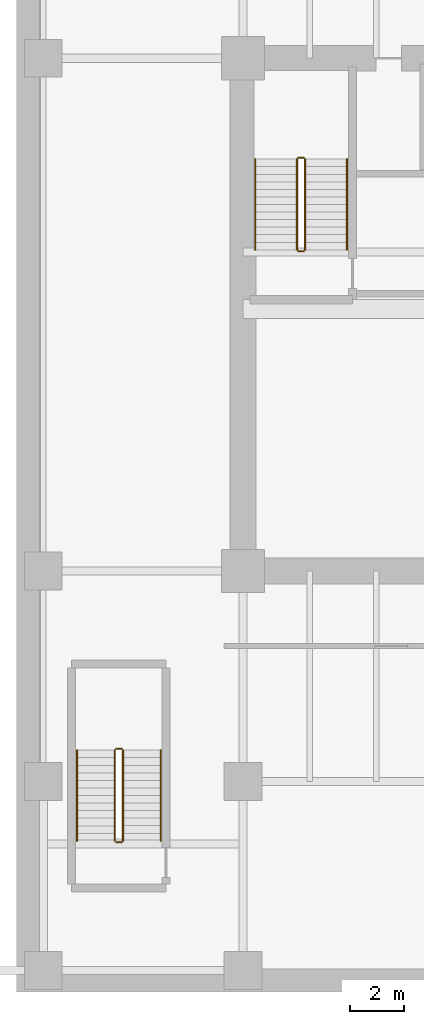
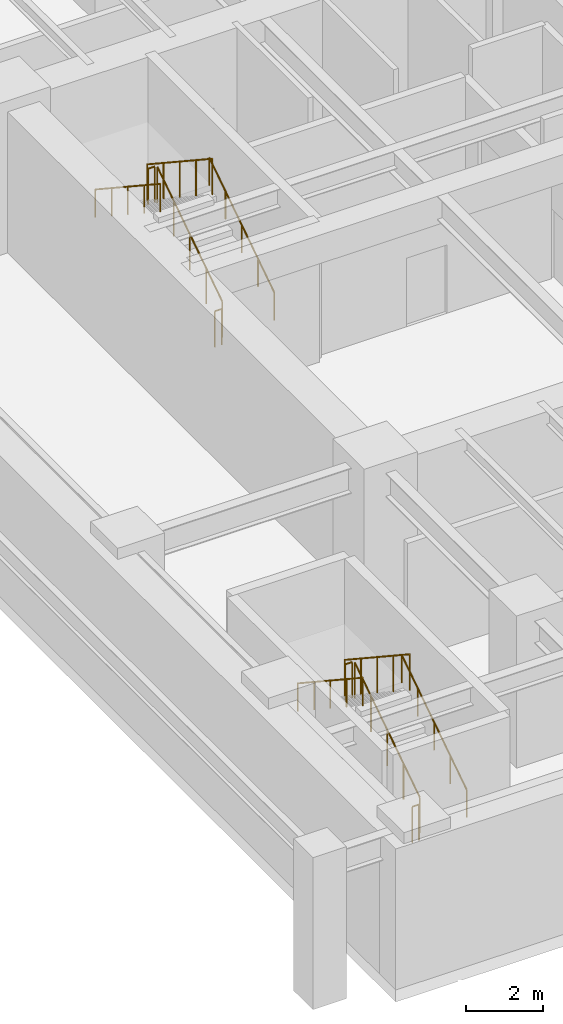
# One storey, part 6 of 7: 12 railings.
"""IFC4 building model written with IfcOpenShell, lengths in metres."""

from ifc_helpers import new_model, si_unit, direction, frame, origin, origin_2d, place, context, subcontext, project, spatial, circle, extrude, source, transform, mapped, material, type_object, type_shapes, element, save


model = new_model("IFC4")

# Units and contexts
model_context = context("Model", 3, precision=1e-05, world=origin(), true_north=direction((0.0, 1.0)))
body_context = subcontext(model_context, "Body", "Model", "MODEL_VIEW")
ifc_project = project(units=[si_unit("LENGTHUNIT", "METRE"), si_unit("AREAUNIT", "SQUARE_METRE"), si_unit("VOLUMEUNIT", "CUBIC_METRE"), si_unit("PLANEANGLEUNIT", "RADIAN"), si_unit("MASSUNIT", "GRAM", prefix="KILO")], contexts=[model_context])

# Site, building, storey
site_placement = place(None, origin())
site = spatial("IfcSite", under=ifc_project, at=site_placement, CompositionType="ELEMENT")
building_placement = place(site_placement, origin())
building = spatial("IfcBuilding", under=site, at=building_placement, Name="Haelvirn Gate Laboratories", CompositionType="ELEMENT")
storey_placement = place(building_placement, frame((0.0, 0.0, -4.800048828125)))
storey = spatial("IfcBuildingStorey", under=building, at=storey_placement, Name="B1", CompositionType="ELEMENT", Elevation=-4.800048828125)

# Railings
ifc_material_1 = material(Name="Galvanised steel SM355 & stainless top rail", Category="steel")
railing_type_1 = type_object("IfcRailingType", Name="RL-GUARD-1150", PredefinedType="GUARDRAIL", material=ifc_material_1)
shared_shape_1 = source(origin(), body_context, "Body", "SweptSolid", [
    extrude(circle(Radius=0.02392578125, at=origin_2d()), frame((0.0, 0.0, 1.1259765625), z_axis=(-1.0, 0.0, 0.0), x_axis=(0.0, -1.0, 0.0)), (0.0, 0.0, 1.0), 0.199951171875),
    extrude(circle(Radius=0.02099609375, at=origin_2d()), origin(), (0.0, 0.0, 1.0), 1.101806640625),
    extrude(circle(Radius=0.02099609375, at=origin_2d()), frame((-0.199951171875, 0.0, 0.0)), (0.0, 0.0, 1.0), 1.101806640625),
])
for number, where, name in (
    (1, (9.64990234375, 30.110107421875, 2.400146484375), "B1 ST1 stair guard 2"),
    (2, (9.64990234375, 26.64990234375, 0.0), "B1 ST1 stair guard 4"),
    (3, (2.89990234375, 8.2099609375, 2.400146484375), "B1 ST3 stair guard 2"),
    (4, (2.89990234375, 4.75, 0.0), "B1 ST3 stair guard 4"),
):
    element("IfcRailing", number, at=place(storey_placement, frame(where)), inside=storey, type_object=railing_type_1, Name=name, PredefinedType="GUARDRAIL", context=body_context, shape_type="MappedRepresentation", body=[
        mapped(shared_shape_1, transform((0.0, 0.0, 0.0), scale=1.0)),
    ])
shared_shape_2 = source(origin(), body_context, "Body", "SweptSolid", [
    extrude(circle(Radius=0.02392578125, at=origin_2d()), frame((0.0, 0.0, 1.1259765625), z_axis=(0.0, -0.834876476806, 0.550437342915), x_axis=(1.0, 0.0, 0.0)), (0.0, 0.0, 1.0), 4.024658203125),
    extrude(circle(Radius=0.02099609375, at=origin_2d()), origin(), (0.0, 0.0, 1.0), 1.101806640625),
    extrude(circle(Radius=0.02099609375, at=origin_2d()), frame((0.0, -0.840087890625, 0.5537109375)), (0.0, 0.0, 1.0), 1.101806640625),
    extrude(circle(Radius=0.02099609375, at=origin_2d()), frame((0.0, -1.68017578125, 1.107666015625)), (0.0, 0.0, 1.0), 1.101806640625),
    extrude(circle(Radius=0.02099609375, at=origin_2d()), frame((0.0, -2.52001953125, 1.66162109375)), (0.0, 0.0, 1.0), 1.101806640625),
    extrude(circle(Radius=0.02099609375, at=origin_2d()), frame((0.0, -3.360107421875, 2.21533203125)), (0.0, 0.0, 1.0), 1.101806640625),
])
railing_1_placement = place(storey_placement, frame((9.39990234375, 30.06005859375, 2.584716796875)))
element("IfcRailing", 5, at=railing_1_placement, inside=storey, type_object=railing_type_1, Name="B1 ST1 stair guard 3", PredefinedType="GUARDRAIL", context=body_context, shape_type="MappedRepresentation", body=[
    mapped(shared_shape_2, transform((0.0, 0.0, 0.0), scale=1.0)),
])
ifc_material_2 = material(Name="Brushed stainless steel 316L", Category="steel")
railing_type_2 = type_object("IfcRailingType", Name="RL-HAND-920", PredefinedType="HANDRAIL", material=ifc_material_2)
shared_shape_3 = source(origin(), body_context, "Body", "SweptSolid", [
    extrude(circle(Radius=0.02392578125, at=origin_2d()), frame((0.0, 0.0, 0.8759765625), z_axis=(0.0, -0.834876476806, 0.550437342915), x_axis=(1.0, 0.0, 0.0)), (0.0, 0.0, 1.0), 4.024658203125),
    extrude(circle(Radius=0.02099609375, at=origin_2d()), origin(), (0.0, 0.0, 1.0), 0.851806640625),
    extrude(circle(Radius=0.02099609375, at=origin_2d()), frame((0.0, -0.840087890625, 0.5537109375)), (0.0, 0.0, 1.0), 0.851806640625),
    extrude(circle(Radius=0.02099609375, at=origin_2d()), frame((0.0, -1.68017578125, 1.107666015625)), (0.0, 0.0, 1.0), 0.851806640625),
    extrude(circle(Radius=0.02099609375, at=origin_2d()), frame((0.0, -2.52001953125, 1.66162109375)), (0.0, 0.0, 1.0), 0.851806640625),
    extrude(circle(Radius=0.02099609375, at=origin_2d()), frame((0.0, -3.360107421875, 2.21533203125)), (0.0, 0.0, 1.0), 0.851806640625),
])
railing_2_placement = place(storey_placement, frame((7.85009765625, 30.06005859375, 2.584716796875)))
element("IfcRailing", 6, at=railing_2_placement, inside=storey, type_object=railing_type_2, Name="B1 ST1 stair handrail 2", PredefinedType="HANDRAIL", context=body_context, shape_type="MappedRepresentation", body=[
    mapped(shared_shape_3, transform((0.0, 0.0, 0.0), scale=1.0)),
])
shared_shape_4 = source(origin(), body_context, "Body", "SweptSolid", [
    extrude(circle(Radius=0.02392578125, at=origin_2d()), frame((0.0, 0.0, 1.1259765625), z_axis=(0.0, 0.834848600103, 0.550479622607), x_axis=(-1.0, 0.0, 0.0)), (0.0, 0.0, 1.0), 4.02490234375),
    extrude(circle(Radius=0.02099609375, at=origin_2d()), origin(), (0.0, 0.0, 1.0), 1.101806640625),
    extrude(circle(Radius=0.02099609375, at=origin_2d()), frame((0.0, 0.840087890625, 0.553955078125)), (0.0, 0.0, 1.0), 1.101806640625),
    extrude(circle(Radius=0.02099609375, at=origin_2d()), frame((0.0, 1.68017578125, 1.10791015625)), (0.0, 0.0, 1.0), 1.101806640625),
    extrude(circle(Radius=0.02099609375, at=origin_2d()), frame((0.0, 2.52001953125, 1.66162109375)), (0.0, 0.0, 1.0), 1.101806640625),
    extrude(circle(Radius=0.02099609375, at=origin_2d()), frame((0.0, 3.360107421875, 2.215576171875)), (0.0, 0.0, 1.0), 1.101806640625),
])
railing_3_placement = place(storey_placement, frame((9.699951171875, 26.699951171875, 0.1845703125)))
element("IfcRailing", 7, at=railing_3_placement, inside=storey, type_object=railing_type_1, Name="B1 ST1 stair guard 1", PredefinedType="GUARDRAIL", context=body_context, shape_type="MappedRepresentation", body=[
    mapped(shared_shape_4, transform((0.0, 0.0, 0.0), scale=1.0)),
])
shared_shape_5 = source(origin(), body_context, "Body", "SweptSolid", [
    extrude(circle(Radius=0.02392578125, at=origin_2d()), frame((0.0, 0.0, 0.8759765625), z_axis=(0.0, 0.834848600103, 0.550479622607), x_axis=(-1.0, 0.0, 0.0)), (0.0, 0.0, 1.0), 4.02490234375),
    extrude(circle(Radius=0.02099609375, at=origin_2d()), origin(), (0.0, 0.0, 1.0), 0.851806640625),
    extrude(circle(Radius=0.02099609375, at=origin_2d()), frame((0.0, 0.840087890625, 0.553955078125)), (0.0, 0.0, 1.0), 0.851806640625),
    extrude(circle(Radius=0.02099609375, at=origin_2d()), frame((0.0, 1.68017578125, 1.10791015625)), (0.0, 0.0, 1.0), 0.851806640625),
    extrude(circle(Radius=0.02099609375, at=origin_2d()), frame((0.0, 2.52001953125, 1.66162109375)), (0.0, 0.0, 1.0), 0.851806640625),
    extrude(circle(Radius=0.02099609375, at=origin_2d()), frame((0.0, 3.360107421875, 2.215576171875)), (0.0, 0.0, 1.0), 0.851806640625),
])
railing_4_placement = place(storey_placement, frame((11.25, 26.699951171875, 0.1845703125)))
element("IfcRailing", 8, at=railing_4_placement, inside=storey, type_object=railing_type_2, Name="B1 ST1 stair handrail 1", PredefinedType="HANDRAIL", context=body_context, shape_type="MappedRepresentation", body=[
    mapped(shared_shape_5, transform((0.0, 0.0, 0.0), scale=1.0)),
])
shared_shape_6 = source(origin(), body_context, "Body", "SweptSolid", [
    extrude(circle(Radius=0.02392578125, at=origin_2d()), frame((0.0, 0.0, 1.1259765625), z_axis=(0.0, -0.834858096282, 0.550465220583), x_axis=(1.0, 0.0, 0.0)), (0.0, 0.0, 1.0), 4.0244140625),
    extrude(circle(Radius=0.02099609375, at=origin_2d()), origin(), (0.0, 0.0, 1.0), 1.101806640625),
    extrude(circle(Radius=0.02099609375, at=origin_2d()), frame((0.0, -0.83984375, 0.5537109375)), (0.0, 0.0, 1.0), 1.101806640625),
    extrude(circle(Radius=0.02099609375, at=origin_2d()), frame((0.0, -1.679931640625, 1.107666015625)), (0.0, 0.0, 1.0), 1.101806640625),
    extrude(circle(Radius=0.02099609375, at=origin_2d()), frame((0.0, -2.52001953125, 1.66162109375)), (0.0, 0.0, 1.0), 1.101806640625),
    extrude(circle(Radius=0.02099609375, at=origin_2d()), frame((0.0, -3.35986328125, 2.21533203125)), (0.0, 0.0, 1.0), 1.101806640625),
])
railing_5_placement = place(storey_placement, frame((2.64990234375, 8.159912109375, 2.584716796875)))
element("IfcRailing", 9, at=railing_5_placement, inside=storey, type_object=railing_type_1, Name="B1 ST3 stair guard 3", PredefinedType="GUARDRAIL", context=body_context, shape_type="MappedRepresentation", body=[
    mapped(shared_shape_6, transform((0.0, 0.0, 0.0), scale=1.0)),
])
shared_shape_7 = source(origin(), body_context, "Body", "SweptSolid", [
    extrude(circle(Radius=0.02392578125, at=origin_2d()), frame((0.0, 0.0, 0.8759765625), z_axis=(0.0, -0.834858096282, 0.550465220583), x_axis=(1.0, 0.0, 0.0)), (0.0, 0.0, 1.0), 4.0244140625),
    extrude(circle(Radius=0.02099609375, at=origin_2d()), origin(), (0.0, 0.0, 1.0), 0.851806640625),
    extrude(circle(Radius=0.02099609375, at=origin_2d()), frame((0.0, -0.83984375, 0.5537109375)), (0.0, 0.0, 1.0), 0.851806640625),
    extrude(circle(Radius=0.02099609375, at=origin_2d()), frame((0.0, -1.679931640625, 1.107666015625)), (0.0, 0.0, 1.0), 0.851806640625),
    extrude(circle(Radius=0.02099609375, at=origin_2d()), frame((0.0, -2.52001953125, 1.66162109375)), (0.0, 0.0, 1.0), 0.851806640625),
    extrude(circle(Radius=0.02099609375, at=origin_2d()), frame((0.0, -3.35986328125, 2.21533203125)), (0.0, 0.0, 1.0), 0.851806640625),
])
railing_6_placement = place(storey_placement, frame((1.25, 8.159912109375, 2.584716796875)))
element("IfcRailing", 10, at=railing_6_placement, inside=storey, type_object=railing_type_2, Name="B1 ST3 stair handrail 2", PredefinedType="HANDRAIL", context=body_context, shape_type="MappedRepresentation", body=[
    mapped(shared_shape_7, transform((0.0, 0.0, 0.0), scale=1.0)),
])
shared_shape_8 = source(origin(), body_context, "Body", "SweptSolid", [
    extrude(circle(Radius=0.02392578125, at=origin_2d()), frame((0.0, 0.0, 1.1259765625), z_axis=(0.0, 0.83483021737, 0.550507500554), x_axis=(-1.0, 0.0, 0.0)), (0.0, 0.0, 1.0), 4.024658203125),
    extrude(circle(Radius=0.02099609375, at=origin_2d()), origin(), (0.0, 0.0, 1.0), 1.101806640625),
    extrude(circle(Radius=0.02099609375, at=origin_2d()), frame((0.0, 0.83984375, 0.553955078125)), (0.0, 0.0, 1.0), 1.101806640625),
    extrude(circle(Radius=0.02099609375, at=origin_2d()), frame((0.0, 1.679931640625, 1.10791015625)), (0.0, 0.0, 1.0), 1.101806640625),
    extrude(circle(Radius=0.02099609375, at=origin_2d()), frame((0.0, 2.52001953125, 1.66162109375)), (0.0, 0.0, 1.0), 1.101806640625),
    extrude(circle(Radius=0.02099609375, at=origin_2d()), frame((0.0, 3.35986328125, 2.215576171875)), (0.0, 0.0, 1.0), 1.101806640625),
])
type_shapes(railing_type_1, [shared_shape_1, shared_shape_2, shared_shape_4, shared_shape_6, shared_shape_8])
railing_7_placement = place(storey_placement, frame((2.949951171875, 4.800048828125, 0.1845703125)))
element("IfcRailing", 11, at=railing_7_placement, inside=storey, type_object=railing_type_1, Name="B1 ST3 stair guard 1", PredefinedType="GUARDRAIL", context=body_context, shape_type="MappedRepresentation", body=[
    mapped(shared_shape_8, transform((0.0, 0.0, 0.0), scale=1.0)),
])
shared_shape_9 = source(origin(), body_context, "Body", "SweptSolid", [
    extrude(circle(Radius=0.02392578125, at=origin_2d()), frame((0.0, 0.0, 0.8759765625), z_axis=(0.0, 0.83483021737, 0.550507500554), x_axis=(-1.0, 0.0, 0.0)), (0.0, 0.0, 1.0), 4.024658203125),
    extrude(circle(Radius=0.02099609375, at=origin_2d()), origin(), (0.0, 0.0, 1.0), 0.851806640625),
    extrude(circle(Radius=0.02099609375, at=origin_2d()), frame((0.0, 0.83984375, 0.553955078125)), (0.0, 0.0, 1.0), 0.851806640625),
    extrude(circle(Radius=0.02099609375, at=origin_2d()), frame((0.0, 1.679931640625, 1.10791015625)), (0.0, 0.0, 1.0), 0.851806640625),
    extrude(circle(Radius=0.02099609375, at=origin_2d()), frame((0.0, 2.52001953125, 1.66162109375)), (0.0, 0.0, 1.0), 0.851806640625),
    extrude(circle(Radius=0.02099609375, at=origin_2d()), frame((0.0, 3.35986328125, 2.215576171875)), (0.0, 0.0, 1.0), 0.851806640625),
])
type_shapes(railing_type_2, [shared_shape_3, shared_shape_5, shared_shape_7, shared_shape_9])
railing_8_placement = place(storey_placement, frame((4.35009765625, 4.800048828125, 0.1845703125)))
element("IfcRailing", 12, at=railing_8_placement, inside=storey, type_object=railing_type_2, Name="B1 ST3 stair handrail 1", PredefinedType="HANDRAIL", context=body_context, shape_type="MappedRepresentation", body=[
    mapped(shared_shape_9, transform((0.0, 0.0, 0.0), scale=1.0)),
])

save(model, "model.ifc")
